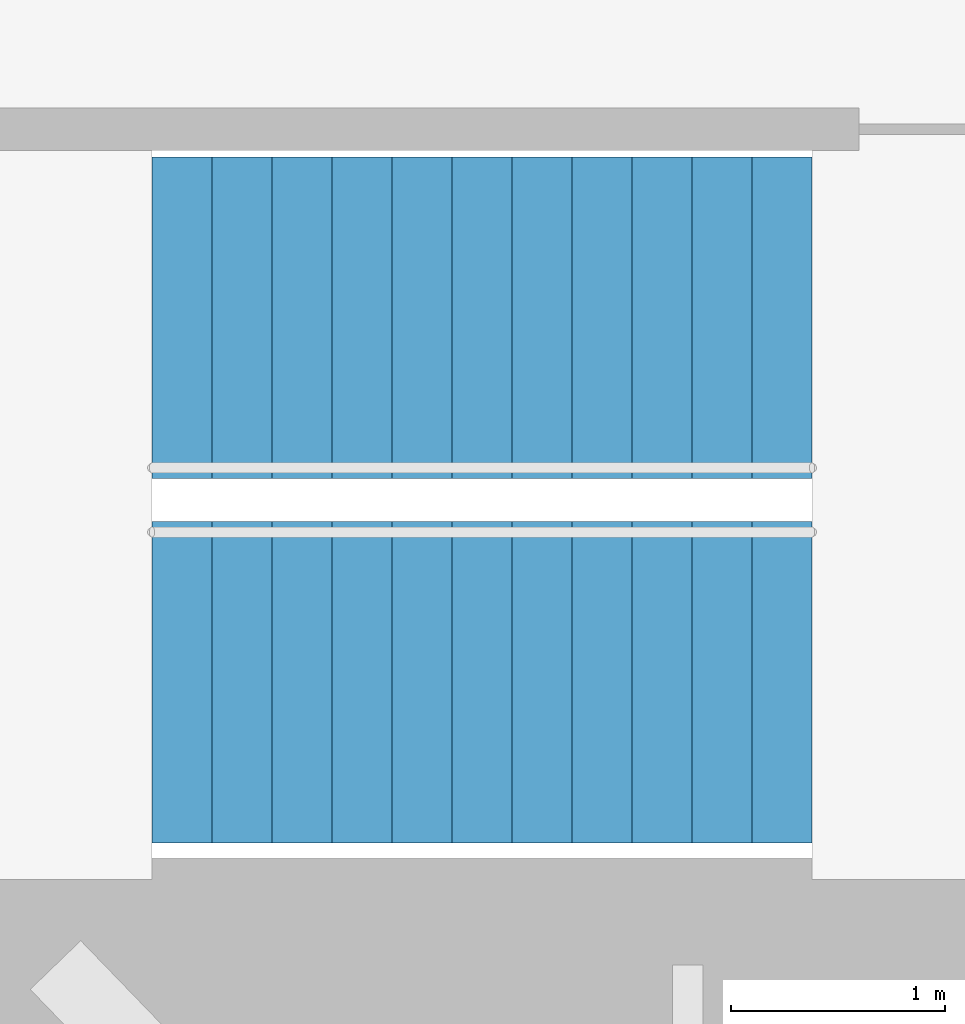
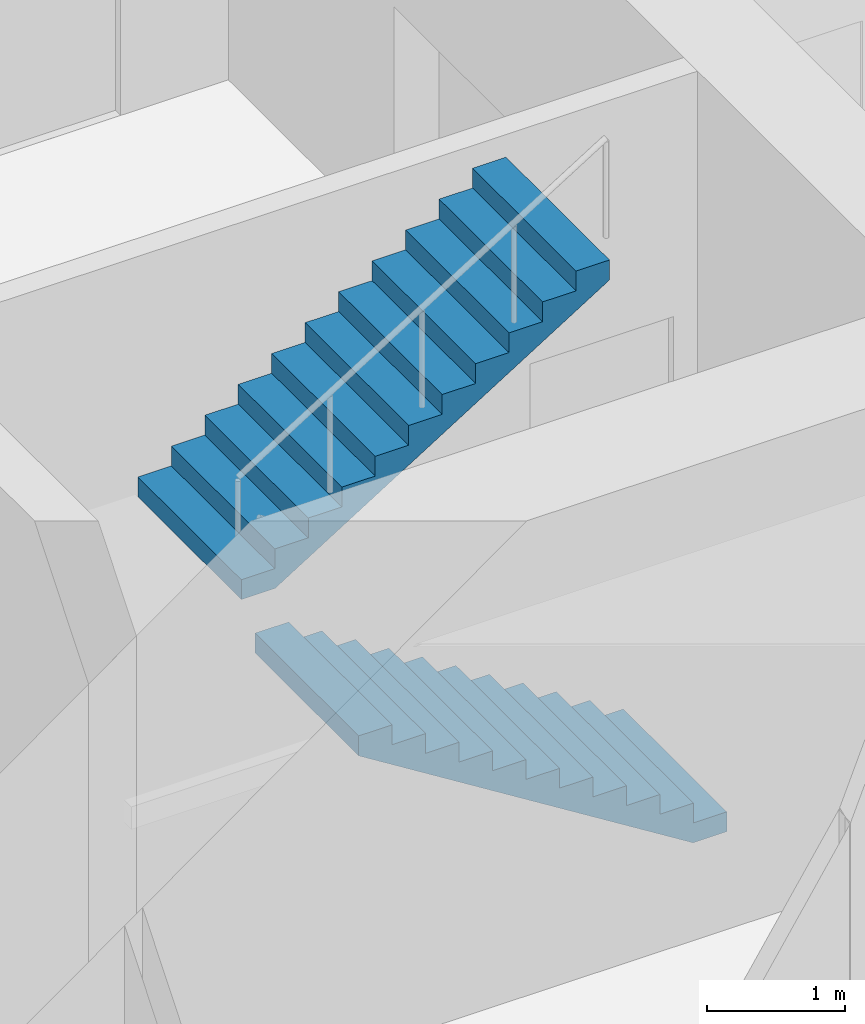
# One storey, part 17 of 18: 2 stair flights, 1 element without a shape of its own.
"""IFC4 building model written with IfcOpenShell, lengths in metres."""

from ifc_helpers import new_model, si_unit, direction, frame, origin, place, context, subcontext, project, spatial, triangles, material, type_object, element, aggregate, save


model = new_model("IFC4")

# Units and contexts
model_context = context("Model", 3, precision=1e-05, world=origin(), true_north=direction((0.0, 1.0)))
body_context = subcontext(model_context, "Body", "Model", "MODEL_VIEW")
ifc_project = project(units=[si_unit("LENGTHUNIT", "METRE"), si_unit("AREAUNIT", "SQUARE_METRE"), si_unit("VOLUMEUNIT", "CUBIC_METRE"), si_unit("PLANEANGLEUNIT", "RADIAN"), si_unit("MASSUNIT", "GRAM", prefix="KILO")], contexts=[model_context])

# Site, building, storey
site_placement = place(None, origin())
site = spatial("IfcSite", under=ifc_project, at=site_placement, CompositionType="ELEMENT")
building_placement = place(site_placement, origin())
building = spatial("IfcBuilding", under=site, at=building_placement, Name="Lantaw Convention Tower", CompositionType="ELEMENT")
storey_placement = place(building_placement, frame((0.0, 0.0, 236.800048828125)))
storey = spatial("IfcBuildingStorey", under=building, at=storey_placement, Name="L55", CompositionType="ELEMENT", Elevation=236.800048828125)

# Stair, stair flights
ifc_material = material(Name="Concrete C35/45", Category="concrete")
stair_type = type_object("IfcStairType", Name="Exit stair 1500 riser 175 in 2 flights", PredefinedType="HALF_TURN_STAIR", material=ifc_material)
stair_placement = place(storey_placement, origin())
stair = element("IfcStair", 1, at=stair_placement, inside=storey, type_object=stair_type, Name="Exit stair S2 L55", PredefinedType="HALF_TURN_STAIR")
stair_flight_type = type_object("IfcStairFlightType", Name="Stair flight 1500 riser 175", PredefinedType="STRAIGHT", material=ifc_material)
stair_flight_1_placement = place(storey_placement, frame((10.580078125, -5.97998046875, 0.0), z_axis=(0.0, 0.0, 1.0), x_axis=(-1.0, 0.0, 0.0)))
stair_flight_1 = element("IfcStairFlight", 2, at=stair_flight_1_placement, type_object=stair_flight_type, Name="S2 flight 1", NumberOfRisers=12, NumberOfTreads=11, PredefinedType="STRAIGHT", RiserHeight=0.175, TreadLength=0.28, context=body_context, shape_type="Tessellation", body=[
    triangles([(0.0, 0.75, 0.0), (0.0, 0.75, 0.175), (0.28, 0.75, 0.0), (0.28, 0.75, 0.175), (0.28, 0.75, 0.35), (0.28283517651771284, 0.75, 0.0), (0.28283517651771284, 0.75, 0.35), (0.56, 0.75, 0.17322801467642948), (0.56, 0.75, 0.35), (0.56, 0.75, 0.5249999999999999), (0.8400000000000001, 0.75, 0.34822801467642944), (0.8400000000000001, 0.75, 0.5249999999999999), (0.8400000000000001, 0.75, 0.7), (1.12, 0.75, 0.5232280146764294), (1.12, 0.75, 0.7), (1.12, 0.75, 0.875), (1.4000000000000001, 0.75, 0.6982280146764295), (1.4000000000000001, 0.75, 0.875), (1.4000000000000001, 0.75, 1.0499999999999998), (1.6800000000000002, 0.75, 0.8732280146764294), (1.6800000000000002, 0.75, 1.0499999999999998), (1.6800000000000002, 0.75, 1.2249999999999999), (1.9600000000000002, 0.75, 1.0482280146764293), (1.9600000000000002, 0.75, 1.2249999999999999), (1.9600000000000002, 0.75, 1.4), (2.24, 0.75, 1.2232280146764294), (2.24, 0.75, 1.4), (2.24, 0.75, 1.575), (2.5200000000000005, 0.75, 1.3982280146764294), (2.5200000000000005, 0.75, 1.575), (2.5200000000000005, 0.75, 1.75), (2.8000000000000003, 0.75, 1.5732280146764293), (2.8000000000000003, 0.75, 1.75), (2.8000000000000003, 0.75, 1.9249999999999998), (3.08, 0.75, 1.7482280146764293), (3.08, 0.75, 1.9249999999999998), (0.0, -0.75, 0.0), (0.0, -0.75, 0.175), (0.28, -0.75, 0.0), (0.28, -0.75, 0.175), (0.28, -0.75, 0.35), (0.28283517651771284, -0.75, 0.0), (0.28283517651771284, -0.75, 0.35), (0.56, -0.75, 0.17322801467642948), (0.56, -0.75, 0.35), (0.56, -0.75, 0.5249999999999999), (0.8400000000000001, -0.75, 0.34822801467642944), (0.8400000000000001, -0.75, 0.5249999999999999), (0.8400000000000001, -0.75, 0.7), (1.12, -0.75, 0.5232280146764294), (1.12, -0.75, 0.7), (1.12, -0.75, 0.875), (1.4000000000000001, -0.75, 0.6982280146764295), (1.4000000000000001, -0.75, 0.875), (1.4000000000000001, -0.75, 1.0499999999999998), (1.6800000000000002, -0.75, 0.8732280146764294), (1.6800000000000002, -0.75, 1.0499999999999998), (1.6800000000000002, -0.75, 1.2249999999999999), (1.9600000000000002, -0.75, 1.0482280146764293), (1.9600000000000002, -0.75, 1.2249999999999999), (1.9600000000000002, -0.75, 1.4), (2.24, -0.75, 1.2232280146764294), (2.24, -0.75, 1.4), (2.24, -0.75, 1.575), (2.5200000000000005, -0.75, 1.3982280146764294), (2.5200000000000005, -0.75, 1.575), (2.5200000000000005, -0.75, 1.75), (2.8000000000000003, -0.75, 1.5732280146764293), (2.8000000000000003, -0.75, 1.75), (2.8000000000000003, -0.75, 1.9249999999999998), (3.08, -0.75, 1.7482280146764293), (3.08, -0.75, 1.9249999999999998), (0.0, 0.15000000000000002, 0.175), (0.0, 0.15000000000000002, 0.0), (0.0, 0.0, 0.175), (0.0, 0.0, 0.0), (0.0, -0.15000000000000002, 0.175), (0.0, -0.15000000000000002, 0.0), (0.28, 0.15000000000000002, 0.35), (0.28, 0.15000000000000002, 0.175), (0.28, 0.0, 0.35), (0.28, 0.0, 0.175), (0.28, -0.15000000000000002, 0.35), (0.28, -0.15000000000000002, 0.175), (0.56, 0.15000000000000002, 0.5249999999999999), (0.56, 0.15000000000000002, 0.35), (0.56, 0.0, 0.5249999999999999), (0.56, 0.0, 0.35), (0.56, -0.15000000000000002, 0.5249999999999999), (0.56, -0.15000000000000002, 0.35), (0.8400000000000001, 0.15000000000000002, 0.7), (0.8400000000000001, 0.15000000000000002, 0.5249999999999999), (0.8400000000000001, 0.0, 0.7), (0.8400000000000001, 0.0, 0.5249999999999999), (0.8400000000000001, -0.15000000000000002, 0.7), (0.8400000000000001, -0.15000000000000002, 0.5249999999999999), (1.12, 0.15000000000000002, 0.875), (1.12, 0.15000000000000002, 0.7), (1.12, 0.0, 0.875), (1.12, 0.0, 0.7), (1.12, -0.15000000000000002, 0.875), (1.12, -0.15000000000000002, 0.7), (1.4000000000000001, 0.15000000000000002, 1.0499999999999998), (1.4000000000000001, 0.15000000000000002, 0.875), (1.4000000000000001, 0.0, 1.0499999999999998), (1.4000000000000001, 0.0, 0.875), (1.4000000000000001, -0.15000000000000002, 1.0499999999999998), (1.4000000000000001, -0.15000000000000002, 0.875), (1.6800000000000002, 0.15000000000000002, 1.2249999999999999), (1.6800000000000002, 0.15000000000000002, 1.0499999999999998), (1.6800000000000002, 0.0, 1.2249999999999999), (1.6800000000000002, 0.0, 1.0499999999999998), (1.6800000000000002, -0.15000000000000002, 1.2249999999999999), (1.6800000000000002, -0.15000000000000002, 1.0499999999999998), (1.9600000000000002, 0.15000000000000002, 1.4), (1.9600000000000002, 0.15000000000000002, 1.2249999999999999), (1.9600000000000002, 0.0, 1.4), (1.9600000000000002, 0.0, 1.2249999999999999), (1.9600000000000002, -0.15000000000000002, 1.4), (1.9600000000000002, -0.15000000000000002, 1.2249999999999999), (2.24, 0.15000000000000002, 1.575), (2.24, 0.15000000000000002, 1.4), (2.24, 0.0, 1.575), (2.24, 0.0, 1.4), (2.24, -0.15000000000000002, 1.575), (2.24, -0.15000000000000002, 1.4), (2.5200000000000005, 0.15000000000000002, 1.75), (2.5200000000000005, 0.15000000000000002, 1.575), (2.5200000000000005, 0.0, 1.75), (2.5200000000000005, 0.0, 1.575), (2.5200000000000005, -0.15000000000000002, 1.75), (2.5200000000000005, -0.15000000000000002, 1.575), (2.8000000000000003, 0.15000000000000002, 1.9249999999999998), (2.8000000000000003, 0.15000000000000002, 1.75), (2.8000000000000003, 0.0, 1.9249999999999998), (2.8000000000000003, 0.0, 1.75), (2.8000000000000003, -0.15000000000000002, 1.9249999999999998), (2.8000000000000003, -0.15000000000000002, 1.75), (0.28283517651771284, 0.15000000000000002, 0.35), (0.28283517651771284, 0.0, 0.35), (0.28283517651771284, -0.15000000000000002, 0.35), (3.08, 0.15000000000000002, 1.9249999999999998), (3.08, 0.0, 1.9249999999999998), (3.08, -0.15000000000000002, 1.9249999999999998), (3.08, 0.15000000000000002, 1.7482280146764293), (3.08, 0.0, 1.7482280146764293), (3.08, -0.15000000000000002, 1.7482280146764293), (2.8000000000000003, 0.15000000000000002, 1.5732280146764293), (2.8000000000000003, 0.0, 1.5732280146764293), (2.8000000000000003, -0.15000000000000002, 1.5732280146764293), (2.5200000000000005, 0.15000000000000002, 1.3982280146764294), (2.5200000000000005, 0.0, 1.3982280146764294), (2.5200000000000005, -0.15000000000000002, 1.3982280146764294), (2.24, 0.15000000000000002, 1.2232280146764294), (2.24, 0.0, 1.2232280146764294), (2.24, -0.15000000000000002, 1.2232280146764294), (1.9600000000000002, 0.15000000000000002, 1.0482280146764293), (1.9600000000000002, 0.0, 1.0482280146764293), (1.9600000000000002, -0.15000000000000002, 1.0482280146764293), (1.6800000000000002, 0.15000000000000002, 0.8732280146764294), (1.6800000000000002, 0.0, 0.8732280146764294), (1.6800000000000002, -0.15000000000000002, 0.8732280146764294), (1.4000000000000001, 0.15000000000000002, 0.6982280146764295), (1.4000000000000001, 0.0, 0.6982280146764295), (1.4000000000000001, -0.15000000000000002, 0.6982280146764295), (1.12, 0.15000000000000002, 0.5232280146764294), (1.12, 0.0, 0.5232280146764294), (1.12, -0.15000000000000002, 0.5232280146764294), (0.8400000000000001, 0.15000000000000002, 0.34822801467642944), (0.8400000000000001, 0.0, 0.34822801467642944), (0.8400000000000001, -0.15000000000000002, 0.34822801467642944), (0.56, 0.15000000000000002, 0.17322801467642948), (0.56, 0.0, 0.17322801467642948), (0.56, -0.15000000000000002, 0.17322801467642948), (0.28283517651771284, 0.15000000000000002, 0.0), (0.28283517651771284, 0.0, 0.0), (0.28283517651771284, -0.15000000000000002, 0.0), (0.28, 0.15000000000000002, 0.0), (0.28, 0.0, 0.0), (0.28, -0.15000000000000002, 0.0)], [[1, 4, 3], [1, 2, 4], [3, 4, 6], [4, 7, 6], [4, 5, 7], [6, 9, 8], [6, 7, 9], [8, 9, 11], [9, 12, 11], [9, 10, 12], [11, 12, 14], [12, 15, 14], [12, 13, 15], [14, 15, 17], [15, 18, 17], [15, 16, 18], [17, 18, 20], [18, 21, 20], [18, 19, 21], [20, 21, 23], [21, 24, 23], [21, 22, 24], [23, 24, 26], [24, 27, 26], [24, 25, 27], [26, 27, 29], [27, 30, 29], [27, 28, 30], [29, 30, 32], [30, 33, 32], [30, 31, 33], [32, 33, 35], [33, 36, 35], [33, 34, 36], [37, 39, 40], [37, 40, 38], [39, 42, 40], [40, 42, 43], [40, 43, 41], [42, 44, 45], [42, 45, 43], [44, 47, 45], [45, 47, 48], [45, 48, 46], [47, 50, 48], [48, 50, 51], [48, 51, 49], [50, 53, 51], [51, 53, 54], [51, 54, 52], [53, 56, 54], [54, 56, 57], [54, 57, 55], [56, 59, 57], [57, 59, 60], [57, 60, 58], [59, 62, 60], [60, 62, 63], [60, 63, 61], [62, 65, 63], [63, 65, 66], [63, 66, 64], [65, 68, 66], [66, 68, 69], [66, 69, 67], [68, 71, 69], [69, 71, 72], [69, 72, 70], [1, 73, 2], [1, 74, 73], [74, 75, 73], [74, 76, 75], [76, 77, 75], [76, 78, 77], [78, 38, 77], [78, 37, 38], [4, 79, 5], [4, 80, 79], [80, 81, 79], [80, 82, 81], [82, 83, 81], [82, 84, 83], [84, 41, 83], [84, 40, 41], [9, 85, 10], [9, 86, 85], [86, 87, 85], [86, 88, 87], [88, 89, 87], [88, 90, 89], [90, 46, 89], [90, 45, 46], [12, 91, 13], [12, 92, 91], [92, 93, 91], [92, 94, 93], [94, 95, 93], [94, 96, 95], [96, 49, 95], [96, 48, 49], [15, 97, 16], [15, 98, 97], [98, 99, 97], [98, 100, 99], [100, 101, 99], [100, 102, 101], [102, 52, 101], [102, 51, 52], [18, 103, 19], [18, 104, 103], [104, 105, 103], [104, 106, 105], [106, 107, 105], [106, 108, 107], [108, 55, 107], [108, 54, 55], [21, 109, 22], [21, 110, 109], [110, 111, 109], [110, 112, 111], [112, 113, 111], [112, 114, 113], [114, 58, 113], [114, 57, 58], [24, 115, 25], [24, 116, 115], [116, 117, 115], [116, 118, 117], [118, 119, 117], [118, 120, 119], [120, 61, 119], [120, 60, 61], [27, 121, 28], [27, 122, 121], [122, 123, 121], [122, 124, 123], [124, 125, 123], [124, 126, 125], [126, 64, 125], [126, 63, 64], [30, 127, 31], [30, 128, 127], [128, 129, 127], [128, 130, 129], [130, 131, 129], [130, 132, 131], [132, 67, 131], [132, 66, 67], [33, 133, 34], [33, 134, 133], [134, 135, 133], [134, 136, 135], [136, 137, 135], [136, 138, 137], [138, 70, 137], [138, 69, 70], [2, 80, 4], [2, 73, 80], [73, 82, 80], [73, 75, 82], [75, 84, 82], [75, 77, 84], [77, 40, 84], [77, 38, 40], [5, 139, 7], [5, 79, 139], [79, 140, 139], [79, 81, 140], [81, 141, 140], [81, 83, 141], [83, 43, 141], [83, 41, 43], [7, 86, 9], [7, 139, 86], [139, 88, 86], [139, 140, 88], [140, 90, 88], [140, 141, 90], [141, 45, 90], [141, 43, 45], [10, 92, 12], [10, 85, 92], [85, 94, 92], [85, 87, 94], [87, 96, 94], [87, 89, 96], [89, 48, 96], [89, 46, 48], [13, 98, 15], [13, 91, 98], [91, 100, 98], [91, 93, 100], [93, 102, 100], [93, 95, 102], [95, 51, 102], [95, 49, 51], [16, 104, 18], [16, 97, 104], [97, 106, 104], [97, 99, 106], [99, 108, 106], [99, 101, 108], [101, 54, 108], [101, 52, 54], [19, 110, 21], [19, 103, 110], [103, 112, 110], [103, 105, 112], [105, 114, 112], [105, 107, 114], [107, 57, 114], [107, 55, 57], [22, 116, 24], [22, 109, 116], [109, 118, 116], [109, 111, 118], [111, 120, 118], [111, 113, 120], [113, 60, 120], [113, 58, 60], [25, 122, 27], [25, 115, 122], [115, 124, 122], [115, 117, 124], [117, 126, 124], [117, 119, 126], [119, 63, 126], [119, 61, 63], [28, 128, 30], [28, 121, 128], [121, 130, 128], [121, 123, 130], [123, 132, 130], [123, 125, 132], [125, 66, 132], [125, 64, 66], [31, 134, 33], [31, 127, 134], [127, 136, 134], [127, 129, 136], [129, 138, 136], [129, 131, 138], [131, 69, 138], [131, 67, 69], [34, 142, 36], [34, 133, 142], [133, 143, 142], [133, 135, 143], [135, 144, 143], [135, 137, 144], [137, 72, 144], [137, 70, 72], [36, 145, 35], [36, 142, 145], [142, 146, 145], [142, 143, 146], [143, 147, 146], [143, 144, 147], [144, 71, 147], [144, 72, 71], [35, 148, 32], [35, 145, 148], [145, 149, 148], [145, 146, 149], [146, 150, 149], [146, 147, 150], [147, 68, 150], [147, 71, 68], [32, 151, 29], [32, 148, 151], [148, 152, 151], [148, 149, 152], [149, 153, 152], [149, 150, 153], [150, 65, 153], [150, 68, 65], [29, 154, 26], [29, 151, 154], [151, 155, 154], [151, 152, 155], [152, 156, 155], [152, 153, 156], [153, 62, 156], [153, 65, 62], [26, 157, 23], [26, 154, 157], [154, 158, 157], [154, 155, 158], [155, 159, 158], [155, 156, 159], [156, 59, 159], [156, 62, 59], [23, 160, 20], [23, 157, 160], [157, 161, 160], [157, 158, 161], [158, 162, 161], [158, 159, 162], [159, 56, 162], [159, 59, 56], [20, 163, 17], [20, 160, 163], [160, 164, 163], [160, 161, 164], [161, 165, 164], [161, 162, 165], [162, 53, 165], [162, 56, 53], [17, 166, 14], [17, 163, 166], [163, 167, 166], [163, 164, 167], [164, 168, 167], [164, 165, 168], [165, 50, 168], [165, 53, 50], [14, 169, 11], [14, 166, 169], [166, 170, 169], [166, 167, 170], [167, 171, 170], [167, 168, 171], [168, 47, 171], [168, 50, 47], [11, 172, 8], [11, 169, 172], [169, 173, 172], [169, 170, 173], [170, 174, 173], [170, 171, 174], [171, 44, 174], [171, 47, 44], [8, 175, 6], [8, 172, 175], [172, 176, 175], [172, 173, 176], [173, 177, 176], [173, 174, 177], [174, 42, 177], [174, 44, 42], [6, 178, 3], [6, 175, 178], [175, 179, 178], [175, 176, 179], [176, 180, 179], [176, 177, 180], [177, 39, 180], [177, 42, 39], [3, 74, 1], [3, 178, 74], [178, 76, 74], [178, 179, 76], [179, 78, 76], [179, 180, 78], [180, 37, 78], [180, 39, 37]], closed=True),
])
stair_flight_2_placement = place(storey_placement, frame((7.5, -4.280029296875, 2.099853515625), z_axis=(0.0, 0.0, 1.0), x_axis=(1.0, 0.0, 0.0)))
stair_flight_2 = element("IfcStairFlight", 3, at=stair_flight_2_placement, type_object=stair_flight_type, Name="S2 flight 2", NumberOfRisers=12, NumberOfTreads=11, PredefinedType="STRAIGHT", RiserHeight=0.175, TreadLength=0.28, context=body_context, shape_type="Tessellation", body=[
    triangles([(0.0, 0.75, 0.0), (0.0, 0.75, 0.175), (0.28, 0.75, 0.0), (0.28, 0.75, 0.175), (0.28, 0.75, 0.35), (0.28283517651771284, 0.75, 0.0), (0.28283517651771284, 0.75, 0.35), (0.56, 0.75, 0.17322801467642948), (0.56, 0.75, 0.35), (0.56, 0.75, 0.5249999999999999), (0.8400000000000001, 0.75, 0.34822801467642944), (0.8400000000000001, 0.75, 0.5249999999999999), (0.8400000000000001, 0.75, 0.7), (1.12, 0.75, 0.5232280146764294), (1.12, 0.75, 0.7), (1.12, 0.75, 0.875), (1.4000000000000001, 0.75, 0.6982280146764295), (1.4000000000000001, 0.75, 0.875), (1.4000000000000001, 0.75, 1.0499999999999998), (1.6800000000000002, 0.75, 0.8732280146764294), (1.6800000000000002, 0.75, 1.0499999999999998), (1.6800000000000002, 0.75, 1.2249999999999999), (1.9600000000000002, 0.75, 1.0482280146764293), (1.9600000000000002, 0.75, 1.2249999999999999), (1.9600000000000002, 0.75, 1.4), (2.24, 0.75, 1.2232280146764294), (2.24, 0.75, 1.4), (2.24, 0.75, 1.575), (2.5200000000000005, 0.75, 1.3982280146764294), (2.5200000000000005, 0.75, 1.575), (2.5200000000000005, 0.75, 1.75), (2.8000000000000003, 0.75, 1.5732280146764293), (2.8000000000000003, 0.75, 1.75), (2.8000000000000003, 0.75, 1.9249999999999998), (3.08, 0.75, 1.7482280146764293), (3.08, 0.75, 1.9249999999999998), (0.0, -0.75, 0.0), (0.0, -0.75, 0.175), (0.28, -0.75, 0.0), (0.28, -0.75, 0.175), (0.28, -0.75, 0.35), (0.28283517651771284, -0.75, 0.0), (0.28283517651771284, -0.75, 0.35), (0.56, -0.75, 0.17322801467642948), (0.56, -0.75, 0.35), (0.56, -0.75, 0.5249999999999999), (0.8400000000000001, -0.75, 0.34822801467642944), (0.8400000000000001, -0.75, 0.5249999999999999), (0.8400000000000001, -0.75, 0.7), (1.12, -0.75, 0.5232280146764294), (1.12, -0.75, 0.7), (1.12, -0.75, 0.875), (1.4000000000000001, -0.75, 0.6982280146764295), (1.4000000000000001, -0.75, 0.875), (1.4000000000000001, -0.75, 1.0499999999999998), (1.6800000000000002, -0.75, 0.8732280146764294), (1.6800000000000002, -0.75, 1.0499999999999998), (1.6800000000000002, -0.75, 1.2249999999999999), (1.9600000000000002, -0.75, 1.0482280146764293), (1.9600000000000002, -0.75, 1.2249999999999999), (1.9600000000000002, -0.75, 1.4), (2.24, -0.75, 1.2232280146764294), (2.24, -0.75, 1.4), (2.24, -0.75, 1.575), (2.5200000000000005, -0.75, 1.3982280146764294), (2.5200000000000005, -0.75, 1.575), (2.5200000000000005, -0.75, 1.75), (2.8000000000000003, -0.75, 1.5732280146764293), (2.8000000000000003, -0.75, 1.75), (2.8000000000000003, -0.75, 1.9249999999999998), (3.08, -0.75, 1.7482280146764293), (3.08, -0.75, 1.9249999999999998), (0.0, 0.15000000000000002, 0.175), (0.0, 0.15000000000000002, 0.0), (0.0, 0.0, 0.175), (0.0, 0.0, 0.0), (0.0, -0.15000000000000002, 0.175), (0.0, -0.15000000000000002, 0.0), (0.28, 0.15000000000000002, 0.35), (0.28, 0.15000000000000002, 0.175), (0.28, 0.0, 0.35), (0.28, 0.0, 0.175), (0.28, -0.15000000000000002, 0.35), (0.28, -0.15000000000000002, 0.175), (0.56, 0.15000000000000002, 0.5249999999999999), (0.56, 0.15000000000000002, 0.35), (0.56, 0.0, 0.5249999999999999), (0.56, 0.0, 0.35), (0.56, -0.15000000000000002, 0.5249999999999999), (0.56, -0.15000000000000002, 0.35), (0.8400000000000001, 0.15000000000000002, 0.7), (0.8400000000000001, 0.15000000000000002, 0.5249999999999999), (0.8400000000000001, 0.0, 0.7), (0.8400000000000001, 0.0, 0.5249999999999999), (0.8400000000000001, -0.15000000000000002, 0.7), (0.8400000000000001, -0.15000000000000002, 0.5249999999999999), (1.12, 0.15000000000000002, 0.875), (1.12, 0.15000000000000002, 0.7), (1.12, 0.0, 0.875), (1.12, 0.0, 0.7), (1.12, -0.15000000000000002, 0.875), (1.12, -0.15000000000000002, 0.7), (1.4000000000000001, 0.15000000000000002, 1.0499999999999998), (1.4000000000000001, 0.15000000000000002, 0.875), (1.4000000000000001, 0.0, 1.0499999999999998), (1.4000000000000001, 0.0, 0.875), (1.4000000000000001, -0.15000000000000002, 1.0499999999999998), (1.4000000000000001, -0.15000000000000002, 0.875), (1.6800000000000002, 0.15000000000000002, 1.2249999999999999), (1.6800000000000002, 0.15000000000000002, 1.0499999999999998), (1.6800000000000002, 0.0, 1.2249999999999999), (1.6800000000000002, 0.0, 1.0499999999999998), (1.6800000000000002, -0.15000000000000002, 1.2249999999999999), (1.6800000000000002, -0.15000000000000002, 1.0499999999999998), (1.9600000000000002, 0.15000000000000002, 1.4), (1.9600000000000002, 0.15000000000000002, 1.2249999999999999), (1.9600000000000002, 0.0, 1.4), (1.9600000000000002, 0.0, 1.2249999999999999), (1.9600000000000002, -0.15000000000000002, 1.4), (1.9600000000000002, -0.15000000000000002, 1.2249999999999999), (2.24, 0.15000000000000002, 1.575), (2.24, 0.15000000000000002, 1.4), (2.24, 0.0, 1.575), (2.24, 0.0, 1.4), (2.24, -0.15000000000000002, 1.575), (2.24, -0.15000000000000002, 1.4), (2.5200000000000005, 0.15000000000000002, 1.75), (2.5200000000000005, 0.15000000000000002, 1.575), (2.5200000000000005, 0.0, 1.75), (2.5200000000000005, 0.0, 1.575), (2.5200000000000005, -0.15000000000000002, 1.75), (2.5200000000000005, -0.15000000000000002, 1.575), (2.8000000000000003, 0.15000000000000002, 1.9249999999999998), (2.8000000000000003, 0.15000000000000002, 1.75), (2.8000000000000003, 0.0, 1.9249999999999998), (2.8000000000000003, 0.0, 1.75), (2.8000000000000003, -0.15000000000000002, 1.9249999999999998), (2.8000000000000003, -0.15000000000000002, 1.75), (0.28283517651771284, 0.15000000000000002, 0.35), (0.28283517651771284, 0.0, 0.35), (0.28283517651771284, -0.15000000000000002, 0.35), (3.08, 0.15000000000000002, 1.9249999999999998), (3.08, 0.0, 1.9249999999999998), (3.08, -0.15000000000000002, 1.9249999999999998), (3.08, 0.15000000000000002, 1.7482280146764293), (3.08, 0.0, 1.7482280146764293), (3.08, -0.15000000000000002, 1.7482280146764293), (2.8000000000000003, 0.15000000000000002, 1.5732280146764293), (2.8000000000000003, 0.0, 1.5732280146764293), (2.8000000000000003, -0.15000000000000002, 1.5732280146764293), (2.5200000000000005, 0.15000000000000002, 1.3982280146764294), (2.5200000000000005, 0.0, 1.3982280146764294), (2.5200000000000005, -0.15000000000000002, 1.3982280146764294), (2.24, 0.15000000000000002, 1.2232280146764294), (2.24, 0.0, 1.2232280146764294), (2.24, -0.15000000000000002, 1.2232280146764294), (1.9600000000000002, 0.15000000000000002, 1.0482280146764293), (1.9600000000000002, 0.0, 1.0482280146764293), (1.9600000000000002, -0.15000000000000002, 1.0482280146764293), (1.6800000000000002, 0.15000000000000002, 0.8732280146764294), (1.6800000000000002, 0.0, 0.8732280146764294), (1.6800000000000002, -0.15000000000000002, 0.8732280146764294), (1.4000000000000001, 0.15000000000000002, 0.6982280146764295), (1.4000000000000001, 0.0, 0.6982280146764295), (1.4000000000000001, -0.15000000000000002, 0.6982280146764295), (1.12, 0.15000000000000002, 0.5232280146764294), (1.12, 0.0, 0.5232280146764294), (1.12, -0.15000000000000002, 0.5232280146764294), (0.8400000000000001, 0.15000000000000002, 0.34822801467642944), (0.8400000000000001, 0.0, 0.34822801467642944), (0.8400000000000001, -0.15000000000000002, 0.34822801467642944), (0.56, 0.15000000000000002, 0.17322801467642948), (0.56, 0.0, 0.17322801467642948), (0.56, -0.15000000000000002, 0.17322801467642948), (0.28283517651771284, 0.15000000000000002, 0.0), (0.28283517651771284, 0.0, 0.0), (0.28283517651771284, -0.15000000000000002, 0.0), (0.28, 0.15000000000000002, 0.0), (0.28, 0.0, 0.0), (0.28, -0.15000000000000002, 0.0)], [[1, 4, 3], [1, 2, 4], [3, 4, 6], [4, 7, 6], [4, 5, 7], [6, 9, 8], [6, 7, 9], [8, 9, 11], [9, 12, 11], [9, 10, 12], [11, 12, 14], [12, 15, 14], [12, 13, 15], [14, 15, 17], [15, 18, 17], [15, 16, 18], [17, 18, 20], [18, 21, 20], [18, 19, 21], [20, 21, 23], [21, 24, 23], [21, 22, 24], [23, 24, 26], [24, 27, 26], [24, 25, 27], [26, 27, 29], [27, 30, 29], [27, 28, 30], [29, 30, 32], [30, 33, 32], [30, 31, 33], [32, 33, 35], [33, 36, 35], [33, 34, 36], [37, 39, 40], [37, 40, 38], [39, 42, 40], [40, 42, 43], [40, 43, 41], [42, 44, 45], [42, 45, 43], [44, 47, 45], [45, 47, 48], [45, 48, 46], [47, 50, 48], [48, 50, 51], [48, 51, 49], [50, 53, 51], [51, 53, 54], [51, 54, 52], [53, 56, 54], [54, 56, 57], [54, 57, 55], [56, 59, 57], [57, 59, 60], [57, 60, 58], [59, 62, 60], [60, 62, 63], [60, 63, 61], [62, 65, 63], [63, 65, 66], [63, 66, 64], [65, 68, 66], [66, 68, 69], [66, 69, 67], [68, 71, 69], [69, 71, 72], [69, 72, 70], [1, 73, 2], [1, 74, 73], [74, 75, 73], [74, 76, 75], [76, 77, 75], [76, 78, 77], [78, 38, 77], [78, 37, 38], [4, 79, 5], [4, 80, 79], [80, 81, 79], [80, 82, 81], [82, 83, 81], [82, 84, 83], [84, 41, 83], [84, 40, 41], [9, 85, 10], [9, 86, 85], [86, 87, 85], [86, 88, 87], [88, 89, 87], [88, 90, 89], [90, 46, 89], [90, 45, 46], [12, 91, 13], [12, 92, 91], [92, 93, 91], [92, 94, 93], [94, 95, 93], [94, 96, 95], [96, 49, 95], [96, 48, 49], [15, 97, 16], [15, 98, 97], [98, 99, 97], [98, 100, 99], [100, 101, 99], [100, 102, 101], [102, 52, 101], [102, 51, 52], [18, 103, 19], [18, 104, 103], [104, 105, 103], [104, 106, 105], [106, 107, 105], [106, 108, 107], [108, 55, 107], [108, 54, 55], [21, 109, 22], [21, 110, 109], [110, 111, 109], [110, 112, 111], [112, 113, 111], [112, 114, 113], [114, 58, 113], [114, 57, 58], [24, 115, 25], [24, 116, 115], [116, 117, 115], [116, 118, 117], [118, 119, 117], [118, 120, 119], [120, 61, 119], [120, 60, 61], [27, 121, 28], [27, 122, 121], [122, 123, 121], [122, 124, 123], [124, 125, 123], [124, 126, 125], [126, 64, 125], [126, 63, 64], [30, 127, 31], [30, 128, 127], [128, 129, 127], [128, 130, 129], [130, 131, 129], [130, 132, 131], [132, 67, 131], [132, 66, 67], [33, 133, 34], [33, 134, 133], [134, 135, 133], [134, 136, 135], [136, 137, 135], [136, 138, 137], [138, 70, 137], [138, 69, 70], [2, 80, 4], [2, 73, 80], [73, 82, 80], [73, 75, 82], [75, 84, 82], [75, 77, 84], [77, 40, 84], [77, 38, 40], [5, 139, 7], [5, 79, 139], [79, 140, 139], [79, 81, 140], [81, 141, 140], [81, 83, 141], [83, 43, 141], [83, 41, 43], [7, 86, 9], [7, 139, 86], [139, 88, 86], [139, 140, 88], [140, 90, 88], [140, 141, 90], [141, 45, 90], [141, 43, 45], [10, 92, 12], [10, 85, 92], [85, 94, 92], [85, 87, 94], [87, 96, 94], [87, 89, 96], [89, 48, 96], [89, 46, 48], [13, 98, 15], [13, 91, 98], [91, 100, 98], [91, 93, 100], [93, 102, 100], [93, 95, 102], [95, 51, 102], [95, 49, 51], [16, 104, 18], [16, 97, 104], [97, 106, 104], [97, 99, 106], [99, 108, 106], [99, 101, 108], [101, 54, 108], [101, 52, 54], [19, 110, 21], [19, 103, 110], [103, 112, 110], [103, 105, 112], [105, 114, 112], [105, 107, 114], [107, 57, 114], [107, 55, 57], [22, 116, 24], [22, 109, 116], [109, 118, 116], [109, 111, 118], [111, 120, 118], [111, 113, 120], [113, 60, 120], [113, 58, 60], [25, 122, 27], [25, 115, 122], [115, 124, 122], [115, 117, 124], [117, 126, 124], [117, 119, 126], [119, 63, 126], [119, 61, 63], [28, 128, 30], [28, 121, 128], [121, 130, 128], [121, 123, 130], [123, 132, 130], [123, 125, 132], [125, 66, 132], [125, 64, 66], [31, 134, 33], [31, 127, 134], [127, 136, 134], [127, 129, 136], [129, 138, 136], [129, 131, 138], [131, 69, 138], [131, 67, 69], [34, 142, 36], [34, 133, 142], [133, 143, 142], [133, 135, 143], [135, 144, 143], [135, 137, 144], [137, 72, 144], [137, 70, 72], [36, 145, 35], [36, 142, 145], [142, 146, 145], [142, 143, 146], [143, 147, 146], [143, 144, 147], [144, 71, 147], [144, 72, 71], [35, 148, 32], [35, 145, 148], [145, 149, 148], [145, 146, 149], [146, 150, 149], [146, 147, 150], [147, 68, 150], [147, 71, 68], [32, 151, 29], [32, 148, 151], [148, 152, 151], [148, 149, 152], [149, 153, 152], [149, 150, 153], [150, 65, 153], [150, 68, 65], [29, 154, 26], [29, 151, 154], [151, 155, 154], [151, 152, 155], [152, 156, 155], [152, 153, 156], [153, 62, 156], [153, 65, 62], [26, 157, 23], [26, 154, 157], [154, 158, 157], [154, 155, 158], [155, 159, 158], [155, 156, 159], [156, 59, 159], [156, 62, 59], [23, 160, 20], [23, 157, 160], [157, 161, 160], [157, 158, 161], [158, 162, 161], [158, 159, 162], [159, 56, 162], [159, 59, 56], [20, 163, 17], [20, 160, 163], [160, 164, 163], [160, 161, 164], [161, 165, 164], [161, 162, 165], [162, 53, 165], [162, 56, 53], [17, 166, 14], [17, 163, 166], [163, 167, 166], [163, 164, 167], [164, 168, 167], [164, 165, 168], [165, 50, 168], [165, 53, 50], [14, 169, 11], [14, 166, 169], [166, 170, 169], [166, 167, 170], [167, 171, 170], [167, 168, 171], [168, 47, 171], [168, 50, 47], [11, 172, 8], [11, 169, 172], [169, 173, 172], [169, 170, 173], [170, 174, 173], [170, 171, 174], [171, 44, 174], [171, 47, 44], [8, 175, 6], [8, 172, 175], [172, 176, 175], [172, 173, 176], [173, 177, 176], [173, 174, 177], [174, 42, 177], [174, 44, 42], [6, 178, 3], [6, 175, 178], [175, 179, 178], [175, 176, 179], [176, 180, 179], [176, 177, 180], [177, 39, 180], [177, 42, 39], [3, 74, 1], [3, 178, 74], [178, 76, 74], [178, 179, 76], [179, 78, 76], [179, 180, 78], [180, 37, 78], [180, 39, 37]], closed=True),
])
aggregate(stair, [stair_flight_1, stair_flight_2])

save(model, "model.ifc")
